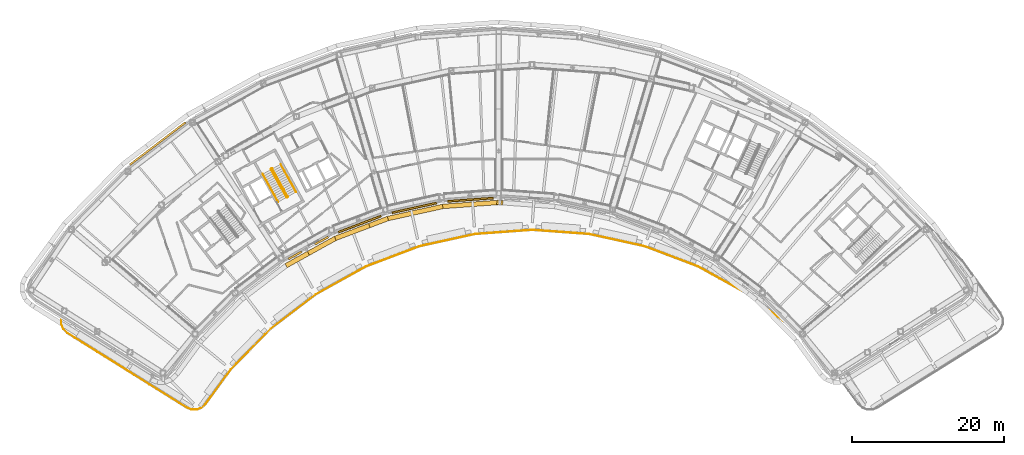
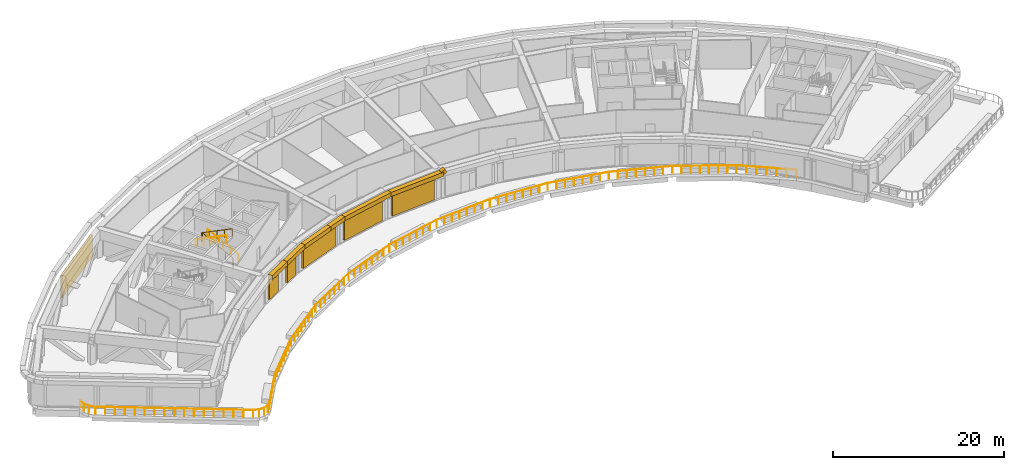
# One storey, part 22 of 26: 7 coverings, 6 shading devices, 4 railings.
"""IFC4 building model written with IfcOpenShell, lengths in metres."""

from ifc_helpers import new_model, si_unit, direction, frame, origin, origin_2d, place, context, subcontext, project, spatial, rectangle, circle, extrude, material, material_profile, profile_set, type_object, element, save


model = new_model("IFC4")

# Units and contexts
model_context = context("Model", 3, precision=1e-05, world=origin(), true_north=direction((0.0, 1.0)))
body_context = subcontext(model_context, "Body", "Model", "MODEL_VIEW")
ifc_project = project(units=[si_unit("LENGTHUNIT", "METRE"), si_unit("AREAUNIT", "SQUARE_METRE"), si_unit("VOLUMEUNIT", "CUBIC_METRE"), si_unit("PLANEANGLEUNIT", "RADIAN"), si_unit("MASSUNIT", "GRAM", prefix="KILO")], contexts=[model_context])

# Site, building, storey
site_placement = place(None, origin())
site = spatial("IfcSite", under=ifc_project, at=site_placement, CompositionType="ELEMENT")
building_placement = place(site_placement, origin())
building = spatial("IfcBuilding", under=site, at=building_placement, Name="Tuul Gate Civic Tower", CompositionType="ELEMENT")
storey_placement = place(building_placement, frame((0.0, 0.0, 167.60009765625)))
storey = spatial("IfcBuildingStorey", under=building, at=storey_placement, Name="Plant and refuge floor 5", CompositionType="ELEMENT", Elevation=167.60009765625)

# Shading devices
ifc_material_1 = material(Name="Aluminium louvre", Category="aluminium")
shading_device_type = type_object("IfcShadingDeviceType", Name="Louvre panel", PredefinedType="USERDEFINED", material=ifc_material_1)
shading_device_placement = place(storey_placement, frame((-44.00830078125, -1.18359375, 0.300048828125), z_axis=(0.0, 0.0, 1.0), x_axis=(-0.605807600786, 0.795611180684, 0.0)))
element("IfcShadingDevice", 1, at=shading_device_placement, inside=storey, type_object=shading_device_type, Name="Louvre panel", ObjectType="LOUVRE", PredefinedType="USERDEFINED", context=body_context, shape_type="SweptSolid", body=[
    extrude(rectangle(XDim=0.25, YDim=9.199951171875, at=origin_2d()), origin(), (0.0, 0.0, 1.0), 3.14990234375),
])
for number, where, z_axis, x_axis, name in (
    (2, (-25.89306640625, -15.923583984375, 0.300048828125), (0.0, 0.0, 1.0), (0.48480794476, -0.874620635875, 0.0), "Louvre panel"),
    (3, (-22.3828125, -13.97802734375, 0.300048828125), (0.0, 0.0, 1.0), (0.48480794476, -0.874620635875, 0.0), "Louvre panel"),
):
    element("IfcShadingDevice", number, at=place(storey_placement, frame(where, z_axis=z_axis, x_axis=x_axis)), inside=storey, type_object=shading_device_type, Name=name, ObjectType="LOUVRE", PredefinedType="USERDEFINED", context=body_context, shape_type="SweptSolid", body=[
        extrude(rectangle(XDim=0.25, YDim=2.0, at=origin_2d()), origin(), (0.0, 0.0, 1.0), 3.14990234375),
    ])
for number, where, z_axis, x_axis, name in (
    (4, (-17.3427734375, -11.802978515625, 0.300048828125), (0.0, 0.0, 1.0), (0.353684769481, -0.935364679597, 0.0), "Louvre panel"),
    (5, (-10.1650390625, -9.6669921875, 0.300048828125), (0.0, 0.0, 1.0), (0.215241961183, -0.976560749849, 0.0), "Louvre panel"),
    (6, (-2.75439453125, -8.587646484375, 0.300048828125), (0.0, 0.0, 1.0), (0.072276176045, -0.997384657179, 0.0), "Louvre panel"),
):
    element("IfcShadingDevice", number, at=place(storey_placement, frame(where, z_axis=z_axis, x_axis=x_axis)), inside=storey, type_object=shading_device_type, Name=name, ObjectType="LOUVRE", PredefinedType="USERDEFINED", context=body_context, shape_type="SweptSolid", body=[
        extrude(rectangle(XDim=0.25, YDim=6.0, at=origin_2d()), origin(), (0.0, 0.0, 1.0), 3.14990234375),
    ])

# Railings
ifc_material_2 = material(Name="Painted steel", Category="steel")
railing_type_1 = type_object("IfcRailingType", Name="Stair guard", PredefinedType="GUARDRAIL", material=ifc_material_2)
railing_1_placement = place(storey_placement, frame((-26.857666015625, -8.247314453125, 0.0)))
element("IfcRailing", 7, at=railing_1_placement, inside=storey, type_object=railing_type_1, Name="Plant and refuge floor 5 ST-2 stair guard 1", PredefinedType="GUARDRAIL", context=body_context, shape_type="SweptSolid", body=[
    extrude(circle(Radius=0.02392578125, at=origin_2d()), frame((0.0, 0.0, 1.076171875), z_axis=(-0.874616555828, -0.48481530532, 0.0), x_axis=(0.48481530532, -0.874616555828, 0.0)), (0.0, 0.0, 1.0), 0.10009765625),
    extrude(circle(Radius=0.02392578125, at=origin_2d()), frame((-0.087646484375, -0.048583984375, 1.076171875), z_axis=(0.49081399482, 0.534516610797, 0.688036056665), x_axis=(-0.736576986774, 0.676353711126, 0.0)), (0.0, 0.0, 1.0), 0.2177734375),
    extrude(circle(Radius=0.02392578125, at=origin_2d()), frame((0.019287109375, 0.06787109375, 1.22607421875), z_axis=(-0.433555878789, 0.78231386355, 0.447229604191), x_axis=(-0.874661316952, -0.484734546558, 0.0)), (0.0, 0.0, 1.0), 4.69580078125),
    extrude(circle(Radius=0.02392578125, at=origin_2d()), frame((-2.0166015625, 3.741455078125, 3.326171875), z_axis=(-0.961000426733, 0.276546885391, 0.0), x_axis=(-0.276546885391, -0.961000426733, 0.0)), (0.0, 0.0, 1.0), 0.070556640625),
    extrude(circle(Radius=0.02392578125, at=origin_2d()), frame((-2.08447265625, 3.760986328125, 3.326171875), z_axis=(-0.874616555828, -0.48481530532, 0.0), x_axis=(0.48481530532, -0.874616555828, 0.0)), (0.0, 0.0, 1.0), 0.10009765625),
    extrude(circle(Radius=0.02392578125, at=origin_2d()), frame((-2.172119140625, 3.71240234375, 3.326171875), z_axis=(-0.117866478395, -0.409586012422, 0.90462522168), x_axis=(0.961000426733, -0.276546885391, 0.0)), (0.0, 0.0, 1.0), 0.165771484375),
    extrude(circle(Radius=0.02392578125, at=origin_2d()), frame((-2.191650390625, 3.64453125, 3.47607421875), z_axis=(0.433598095863, -0.78229622883, 0.447219522855), x_axis=(0.874636671229, 0.484779014956, 0.0)), (0.0, 0.0, 1.0), 4.69580078125),
    extrude(circle(Radius=0.02099609375, at=origin_2d()), origin(), (0.0, 0.0, 1.0), 1.052001953125),
    extrude(circle(Radius=0.02099609375, at=origin_2d()), frame((-0.087646484375, -0.048583984375, 0.0)), (0.0, 0.0, 1.0), 1.052001953125),
    extrude(circle(Radius=0.02099609375, at=origin_2d()), frame((0.019287109375, 0.06787109375, 0.14990234375)), (0.0, 0.0, 1.0), 1.052001953125),
    extrude(circle(Radius=0.02099609375, at=origin_2d()), frame((-0.48974609375, 0.986328125, 0.6748046875)), (0.0, 0.0, 1.0), 1.052001953125),
    extrude(circle(Radius=0.02099609375, at=origin_2d()), frame((-0.99853515625, 1.90478515625, 1.199951171875)), (0.0, 0.0, 1.0), 1.052001953125),
    extrude(circle(Radius=0.02099609375, at=origin_2d()), frame((-1.507568359375, 2.822998046875, 1.72509765625)), (0.0, 0.0, 1.0), 1.052001953125),
    extrude(circle(Radius=0.02099609375, at=origin_2d()), frame((-2.0166015625, 3.741455078125, 2.25)), (0.0, 0.0, 1.0), 1.052001953125),
    extrude(circle(Radius=0.02099609375, at=origin_2d()), frame((-2.08447265625, 3.760986328125, 2.25)), (0.0, 0.0, 1.0), 1.052001953125),
    extrude(circle(Radius=0.02099609375, at=origin_2d()), frame((-2.172119140625, 3.71240234375, 2.25)), (0.0, 0.0, 1.0), 1.052001953125),
    extrude(circle(Radius=0.02099609375, at=origin_2d()), frame((-2.191650390625, 3.64453125, 2.39990234375)), (0.0, 0.0, 1.0), 1.052001953125),
    extrude(circle(Radius=0.02099609375, at=origin_2d()), frame((-1.6826171875, 2.72607421875, 2.9248046875)), (0.0, 0.0, 1.0), 1.052001953125),
    extrude(circle(Radius=0.02099609375, at=origin_2d()), frame((-1.173583984375, 1.8076171875, 3.449951171875)), (0.0, 0.0, 1.0), 1.052001953125),
    extrude(circle(Radius=0.02099609375, at=origin_2d()), frame((-0.66455078125, 0.889404296875, 3.97509765625)), (0.0, 0.0, 1.0), 1.052001953125),
    extrude(circle(Radius=0.02099609375, at=origin_2d()), frame((-0.155517578125, -0.029052734375, 4.5)), (0.0, 0.0, 1.0), 1.052001953125),
])
ifc_material_3 = material(Name="Painted steel", Category="steel")
railing_type_2 = type_object("IfcRailingType", Name="Stair handrail", PredefinedType="HANDRAIL", material=ifc_material_3)
railing_2_placement = place(storey_placement, frame((-25.744873046875, -7.573486328125, 0.14990234375)))
element("IfcRailing", 8, at=railing_2_placement, inside=storey, type_object=railing_type_2, Name="Plant and refuge floor 5 ST-2 stair handrail 1", PredefinedType="HANDRAIL", context=body_context, shape_type="SweptSolid", body=[
    extrude(circle(Radius=0.02392578125, at=origin_2d()), frame((0.0, 0.0, 0.8759765625), z_axis=(-0.433598095863, 0.78229622883, 0.447219522855), x_axis=(-0.874636671229, -0.484779014956, 0.0)), (0.0, 0.0, 1.0), 4.69580078125),
    extrude(circle(Radius=0.02099609375, at=origin_2d()), origin(), (0.0, 0.0, 1.0), 0.851806640625),
    extrude(circle(Radius=0.02099609375, at=origin_2d()), frame((-0.509033203125, 0.91845703125, 0.52490234375)), (0.0, 0.0, 1.0), 0.851806640625),
    extrude(circle(Radius=0.02099609375, at=origin_2d()), frame((-1.01806640625, 1.8369140625, 1.050048828125)), (0.0, 0.0, 1.0), 0.851806640625),
    extrude(circle(Radius=0.02099609375, at=origin_2d()), frame((-1.527099609375, 2.755126953125, 1.5751953125)), (0.0, 0.0, 1.0), 0.851806640625),
    extrude(circle(Radius=0.02099609375, at=origin_2d()), frame((-2.0361328125, 3.673583984375, 2.10009765625)), (0.0, 0.0, 1.0), 0.851806640625),
])
railing_3_placement = place(storey_placement, frame((-30.142578125, -5.208740234375, 2.39990234375)))
element("IfcRailing", 9, at=railing_3_placement, inside=storey, type_object=railing_type_2, Name="Plant and refuge floor 5 ST-2 stair handrail 2", PredefinedType="HANDRAIL", context=body_context, shape_type="SweptSolid", body=[
    extrude(circle(Radius=0.02392578125, at=origin_2d()), frame((0.0, 0.0, 0.8759765625), z_axis=(0.433598095863, -0.78229622883, 0.447219522855), x_axis=(0.874636671229, 0.484779014956, 0.0)), (0.0, 0.0, 1.0), 4.69580078125),
    extrude(circle(Radius=0.02099609375, at=origin_2d()), origin(), (0.0, 0.0, 1.0), 0.851806640625),
    extrude(circle(Radius=0.02099609375, at=origin_2d()), frame((0.509033203125, -0.91845703125, 0.52490234375)), (0.0, 0.0, 1.0), 0.851806640625),
    extrude(circle(Radius=0.02099609375, at=origin_2d()), frame((1.01806640625, -1.8369140625, 1.050048828125)), (0.0, 0.0, 1.0), 0.851806640625),
    extrude(circle(Radius=0.02099609375, at=origin_2d()), frame((1.527099609375, -2.755126953125, 1.5751953125)), (0.0, 0.0, 1.0), 0.851806640625),
    extrude(circle(Radius=0.02099609375, at=origin_2d()), frame((2.0361328125, -3.673583984375, 2.10009765625)), (0.0, 0.0, 1.0), 0.851806640625),
])
ifc_material_4 = material(Name="Stainless steel", Category="steel")
railing_type_3 = type_object("IfcRailingType", Name="Terrace guard", PredefinedType="GUARDRAIL", material=ifc_material_4)
railing_4_placement = place(storey_placement, frame((-56.72412109375, -24.197265625, 0.0)))
element("IfcRailing", 10, at=railing_4_placement, inside=storey, type_object=railing_type_3, Name="Guard", PredefinedType="GUARDRAIL", context=body_context, shape_type="SweptSolid", body=[
    extrude(circle(Radius=0.02392578125, at=origin_2d()), frame((0.0, 0.0, 1.076171875), z_axis=(-0.014640175347, -0.99989282689, 0.0), x_axis=(0.99989282689, -0.014640175347, 0.0)), (0.0, 0.0, 1.0), 0.78369140625),
    extrude(circle(Radius=0.02392578125, at=origin_2d()), frame((-0.011474609375, -0.78369140625, 1.076171875), z_axis=(0.386086812322, -0.922462450917, 0.0), x_axis=(0.922462450917, 0.386086812322, 0.0)), (0.0, 0.0, 1.0), 0.753662109375),
    extrude(circle(Radius=0.02392578125, at=origin_2d()), frame((0.279541015625, -1.47900390625, 1.076171875), z_axis=(0.722186485961, -0.69169840212, 0.0), x_axis=(0.69169840212, 0.722186485961, 0.0)), (0.0, 0.0, 1.0), 0.768798828125),
    extrude(circle(Radius=0.02392578125, at=origin_2d()), frame((0.834716796875, -2.0107421875, 1.076171875), z_axis=(0.848051625188, -0.52991361656, 0.0), x_axis=(0.52991361656, 0.848051625188, 0.0)), (0.0, 0.0, 1.0), 18.51904296875),
    extrude(circle(Radius=0.02392578125, at=origin_2d()), frame((16.539794921875, -11.82421875, 1.076171875), z_axis=(0.931560391115, -0.363586630263, 0.0), x_axis=(0.363586630263, 0.931560391115, 0.0)), (0.0, 0.0, 1.0), 0.702392578125),
    extrude(circle(Radius=0.02392578125, at=origin_2d()), frame((17.194091796875, -12.07958984375, 1.076171875), z_axis=(0.999992381518, 0.003903447905, 0.0), x_axis=(-0.003903447905, 0.999992381518, 0.0)), (0.0, 0.0, 1.0), 0.68798828125),
    extrude(circle(Radius=0.02392578125, at=origin_2d()), frame((17.882080078125, -12.076904296875, 1.076171875), z_axis=(0.929233590569, 0.36949280664, 0.0), x_axis=(-0.36949280664, 0.929233590569, 0.0)), (0.0, 0.0, 1.0), 0.687744140625),
    extrude(circle(Radius=0.02392578125, at=origin_2d()), frame((18.521240234375, -11.82275390625, 1.076171875), z_axis=(0.730338508981, 0.68308539898, 0.0), x_axis=(-0.68308539898, 0.730338508981, 0.0)), (0.0, 0.0, 1.0), 0.70263671875),
    extrude(circle(Radius=0.02392578125, at=origin_2d()), frame((19.034423828125, -11.3427734375, 1.076171875), z_axis=(0.589799533535, 0.807549695215, 0.0), x_axis=(-0.807549695215, 0.589799533535, 0.0)), (0.0, 0.0, 1.0), 5.640625),
    extrude(circle(Radius=0.02392578125, at=origin_2d()), frame((22.361328125, -6.78759765625, 1.076171875), z_axis=(0.699934869648, 0.714206677546, 0.0), x_axis=(-0.714206677546, 0.699934869648, 0.0)), (0.0, 0.0, 1.0), 7.52685546875),
    extrude(circle(Radius=0.02392578125, at=origin_2d()), frame((27.629638671875, -1.411865234375, 1.076171875), z_axis=(0.795650592846, 0.605755837036, 0.0), x_axis=(-0.605755837036, 0.795650592846, 0.0)), (0.0, 0.0, 1.0), 7.5263671875),
    extrude(circle(Radius=0.02392578125, at=origin_2d()), frame((33.617919921875, 3.147216796875, 1.076171875), z_axis=(0.874652568021, 0.484750332907, 0.0), x_axis=(-0.484750332907, 0.874652568021, 0.0)), (0.0, 0.0, 1.0), 7.5263671875),
    extrude(circle(Radius=0.02392578125, at=origin_2d()), frame((40.200927734375, 6.795654296875, 1.076171875), z_axis=(0.935332384104, 0.353770167265, 0.0), x_axis=(-0.353770167265, 0.935332384104, 0.0)), (0.0, 0.0, 1.0), 7.527099609375),
    extrude(circle(Radius=0.02392578125, at=origin_2d()), frame((47.2412109375, 9.45849609375, 1.076171875), z_axis=(0.976573215597, 0.215185395831, 0.0), x_axis=(-0.215185395831, 0.976573215597, 0.0)), (0.0, 0.0, 1.0), 7.526611328125),
    extrude(circle(Radius=0.02392578125, at=origin_2d()), frame((54.591552734375, 11.078125, 1.076171875), z_axis=(0.997389572159, 0.072208319108, 0.0), x_axis=(-0.072208319108, 0.997389572159, 0.0)), (0.0, 0.0, 1.0), 7.526123046875),
    extrude(circle(Radius=0.02392578125, at=origin_2d()), frame((62.09814453125, 11.62158203125, 1.076171875), z_axis=(0.997389572159, -0.072208319108, 0.0), x_axis=(0.072208319108, 0.997389572159, 0.0)), (0.0, 0.0, 1.0), 7.526123046875),
    extrude(circle(Radius=0.02392578125, at=origin_2d()), frame((69.604736328125, 11.078125, 1.076171875), z_axis=(0.976573215597, -0.215185395831, 0.0), x_axis=(0.215185395831, 0.976573215597, 0.0)), (0.0, 0.0, 1.0), 7.526611328125),
    extrude(circle(Radius=0.02392578125, at=origin_2d()), frame((76.955078125, 9.45849609375, 1.076171875), z_axis=(0.935332384104, -0.353770167265, 0.0), x_axis=(0.353770167265, 0.935332384104, 0.0)), (0.0, 0.0, 1.0), 7.527099609375),
    extrude(circle(Radius=0.02392578125, at=origin_2d()), frame((83.995361328125, 6.795654296875, 1.076171875), z_axis=(0.874652568021, -0.484750332907, 0.0), x_axis=(0.484750332907, 0.874652568021, 0.0)), (0.0, 0.0, 1.0), 7.5263671875),
    extrude(circle(Radius=0.02392578125, at=origin_2d()), frame((90.578369140625, 3.147216796875, 1.076171875), z_axis=(0.795643753836, -0.605764819862, 0.0), x_axis=(0.605764819862, 0.795643753836, 0.0)), (0.0, 0.0, 1.0), 7.08203125),
    extrude(circle(Radius=0.02099609375, at=origin_2d()), origin(), (0.0, 0.0, 1.0), 1.052001953125),
    extrude(circle(Radius=0.02099609375, at=origin_2d()), frame((-0.011474609375, -0.78369140625, 0.0)), (0.0, 0.0, 1.0), 1.052001953125),
    extrude(circle(Radius=0.02099609375, at=origin_2d()), frame((0.279541015625, -1.47900390625, 0.0)), (0.0, 0.0, 1.0), 1.052001953125),
    extrude(circle(Radius=0.02099609375, at=origin_2d()), frame((0.834716796875, -2.0107421875, 0.0)), (0.0, 0.0, 1.0), 1.052001953125),
    extrude(circle(Radius=0.02099609375, at=origin_2d()), frame((1.81640625, -2.6240234375, 0.0)), (0.0, 0.0, 1.0), 1.052001953125),
    extrude(circle(Radius=0.02099609375, at=origin_2d()), frame((2.7978515625, -3.2373046875, 0.0)), (0.0, 0.0, 1.0), 1.052001953125),
    extrude(circle(Radius=0.02099609375, at=origin_2d()), frame((3.779296875, -3.850830078125, 0.0)), (0.0, 0.0, 1.0), 1.052001953125),
    extrude(circle(Radius=0.02099609375, at=origin_2d()), frame((4.760986328125, -4.464111328125, 0.0)), (0.0, 0.0, 1.0), 1.052001953125),
    extrude(circle(Radius=0.02099609375, at=origin_2d()), frame((5.74267578125, -5.077392578125, 0.0)), (0.0, 0.0, 1.0), 1.052001953125),
    extrude(circle(Radius=0.02099609375, at=origin_2d()), frame((6.72412109375, -5.69091796875, 0.0)), (0.0, 0.0, 1.0), 1.052001953125),
    extrude(circle(Radius=0.02099609375, at=origin_2d()), frame((7.70556640625, -6.30419921875, 0.0)), (0.0, 0.0, 1.0), 1.052001953125),
    extrude(circle(Radius=0.02099609375, at=origin_2d()), frame((8.687255859375, -6.91748046875, 0.0)), (0.0, 0.0, 1.0), 1.052001953125),
    extrude(circle(Radius=0.02099609375, at=origin_2d()), frame((9.6689453125, -7.53076171875, 0.0)), (0.0, 0.0, 1.0), 1.052001953125),
    extrude(circle(Radius=0.02099609375, at=origin_2d()), frame((10.650390625, -8.14404296875, 0.0)), (0.0, 0.0, 1.0), 1.052001953125),
    extrude(circle(Radius=0.02099609375, at=origin_2d()), frame((11.6318359375, -8.757568359375, 0.0)), (0.0, 0.0, 1.0), 1.052001953125),
    extrude(circle(Radius=0.02099609375, at=origin_2d()), frame((12.613525390625, -9.370849609375, 0.0)), (0.0, 0.0, 1.0), 1.052001953125),
    extrude(circle(Radius=0.02099609375, at=origin_2d()), frame((13.59521484375, -9.984130859375, 0.0)), (0.0, 0.0, 1.0), 1.052001953125),
    extrude(circle(Radius=0.02099609375, at=origin_2d()), frame((14.57666015625, -10.59765625, 0.0)), (0.0, 0.0, 1.0), 1.052001953125),
    extrude(circle(Radius=0.02099609375, at=origin_2d()), frame((15.55810546875, -11.2109375, 0.0)), (0.0, 0.0, 1.0), 1.052001953125),
    extrude(circle(Radius=0.02099609375, at=origin_2d()), frame((16.539794921875, -11.82421875, 0.0)), (0.0, 0.0, 1.0), 1.052001953125),
    extrude(circle(Radius=0.02099609375, at=origin_2d()), frame((17.194091796875, -12.07958984375, 0.0)), (0.0, 0.0, 1.0), 1.052001953125),
    extrude(circle(Radius=0.02099609375, at=origin_2d()), frame((17.882080078125, -12.076904296875, 0.0)), (0.0, 0.0, 1.0), 1.052001953125),
    extrude(circle(Radius=0.02099609375, at=origin_2d()), frame((18.521240234375, -11.82275390625, 0.0)), (0.0, 0.0, 1.0), 1.052001953125),
    extrude(circle(Radius=0.02099609375, at=origin_2d()), frame((19.034423828125, -11.3427734375, 0.0)), (0.0, 0.0, 1.0), 1.052001953125),
    extrude(circle(Radius=0.02099609375, at=origin_2d()), frame((19.69970703125, -10.431640625, 0.0)), (0.0, 0.0, 1.0), 1.052001953125),
    extrude(circle(Radius=0.02099609375, at=origin_2d()), frame((20.365234375, -9.520751953125, 0.0)), (0.0, 0.0, 1.0), 1.052001953125),
    extrude(circle(Radius=0.02099609375, at=origin_2d()), frame((21.030517578125, -8.609619140625, 0.0)), (0.0, 0.0, 1.0), 1.052001953125),
    extrude(circle(Radius=0.02099609375, at=origin_2d()), frame((21.696044921875, -7.69873046875, 0.0)), (0.0, 0.0, 1.0), 1.052001953125),
    extrude(circle(Radius=0.02099609375, at=origin_2d()), frame((22.361328125, -6.78759765625, 0.0)), (0.0, 0.0, 1.0), 1.052001953125),
    extrude(circle(Radius=0.02099609375, at=origin_2d()), frame((23.114013671875, -6.01953125, 0.0)), (0.0, 0.0, 1.0), 1.052001953125),
    extrude(circle(Radius=0.02099609375, at=origin_2d()), frame((23.866455078125, -5.251708984375, 0.0)), (0.0, 0.0, 1.0), 1.052001953125),
    extrude(circle(Radius=0.02099609375, at=origin_2d()), frame((24.619140625, -4.483642578125, 0.0)), (0.0, 0.0, 1.0), 1.052001953125),
    extrude(circle(Radius=0.02099609375, at=origin_2d()), frame((25.371826171875, -3.7158203125, 0.0)), (0.0, 0.0, 1.0), 1.052001953125),
    extrude(circle(Radius=0.02099609375, at=origin_2d()), frame((26.12451171875, -2.94775390625, 0.0)), (0.0, 0.0, 1.0), 1.052001953125),
    extrude(circle(Radius=0.02099609375, at=origin_2d()), frame((26.876953125, -2.179931640625, 0.0)), (0.0, 0.0, 1.0), 1.052001953125),
    extrude(circle(Radius=0.02099609375, at=origin_2d()), frame((27.629638671875, -1.411865234375, 0.0)), (0.0, 0.0, 1.0), 1.052001953125),
    extrude(circle(Radius=0.02099609375, at=origin_2d()), frame((28.485107421875, -0.760498046875, 0.0)), (0.0, 0.0, 1.0), 1.052001953125),
    extrude(circle(Radius=0.02099609375, at=origin_2d()), frame((29.340576171875, -0.109375, 0.0)), (0.0, 0.0, 1.0), 1.052001953125),
    extrude(circle(Radius=0.02099609375, at=origin_2d()), frame((30.196044921875, 0.5419921875, 0.0)), (0.0, 0.0, 1.0), 1.052001953125),
    extrude(circle(Radius=0.02099609375, at=origin_2d()), frame((31.051513671875, 1.193359375, 0.0)), (0.0, 0.0, 1.0), 1.052001953125),
    extrude(circle(Radius=0.02099609375, at=origin_2d()), frame((31.906982421875, 1.8447265625, 0.0)), (0.0, 0.0, 1.0), 1.052001953125),
    extrude(circle(Radius=0.02099609375, at=origin_2d()), frame((32.762451171875, 2.495849609375, 0.0)), (0.0, 0.0, 1.0), 1.052001953125),
    extrude(circle(Radius=0.02099609375, at=origin_2d()), frame((33.617919921875, 3.147216796875, 0.0)), (0.0, 0.0, 1.0), 1.052001953125),
    extrude(circle(Radius=0.02099609375, at=origin_2d()), frame((34.558349609375, 3.66845703125, 0.0)), (0.0, 0.0, 1.0), 1.052001953125),
    extrude(circle(Radius=0.02099609375, at=origin_2d()), frame((35.498779296875, 4.189697265625, 0.0)), (0.0, 0.0, 1.0), 1.052001953125),
    extrude(circle(Radius=0.02099609375, at=origin_2d()), frame((36.439208984375, 4.7109375, 0.0)), (0.0, 0.0, 1.0), 1.052001953125),
    extrude(circle(Radius=0.02099609375, at=origin_2d()), frame((37.379638671875, 5.23193359375, 0.0)), (0.0, 0.0, 1.0), 1.052001953125),
    extrude(circle(Radius=0.02099609375, at=origin_2d()), frame((38.320068359375, 5.753173828125, 0.0)), (0.0, 0.0, 1.0), 1.052001953125),
    extrude(circle(Radius=0.02099609375, at=origin_2d()), frame((39.260498046875, 6.2744140625, 0.0)), (0.0, 0.0, 1.0), 1.052001953125),
    extrude(circle(Radius=0.02099609375, at=origin_2d()), frame((40.200927734375, 6.795654296875, 0.0)), (0.0, 0.0, 1.0), 1.052001953125),
    extrude(circle(Radius=0.02099609375, at=origin_2d()), frame((41.206787109375, 7.176025390625, 0.0)), (0.0, 0.0, 1.0), 1.052001953125),
    extrude(circle(Radius=0.02099609375, at=origin_2d()), frame((42.21240234375, 7.556396484375, 0.0)), (0.0, 0.0, 1.0), 1.052001953125),
    extrude(circle(Radius=0.02099609375, at=origin_2d()), frame((43.21826171875, 7.936767578125, 0.0)), (0.0, 0.0, 1.0), 1.052001953125),
    extrude(circle(Radius=0.02099609375, at=origin_2d()), frame((44.223876953125, 8.3173828125, 0.0)), (0.0, 0.0, 1.0), 1.052001953125),
    extrude(circle(Radius=0.02099609375, at=origin_2d()), frame((45.229736328125, 8.69775390625, 0.0)), (0.0, 0.0, 1.0), 1.052001953125),
    extrude(circle(Radius=0.02099609375, at=origin_2d()), frame((46.2353515625, 9.078125, 0.0)), (0.0, 0.0, 1.0), 1.052001953125),
    extrude(circle(Radius=0.02099609375, at=origin_2d()), frame((47.2412109375, 9.45849609375, 0.0)), (0.0, 0.0, 1.0), 1.052001953125),
    extrude(circle(Radius=0.02099609375, at=origin_2d()), frame((48.291259765625, 9.68994140625, 0.0)), (0.0, 0.0, 1.0), 1.052001953125),
    extrude(circle(Radius=0.02099609375, at=origin_2d()), frame((49.34130859375, 9.921142578125, 0.0)), (0.0, 0.0, 1.0), 1.052001953125),
    extrude(circle(Radius=0.02099609375, at=origin_2d()), frame((50.391357421875, 10.152587890625, 0.0)), (0.0, 0.0, 1.0), 1.052001953125),
    extrude(circle(Radius=0.02099609375, at=origin_2d()), frame((51.44140625, 10.384033203125, 0.0)), (0.0, 0.0, 1.0), 1.052001953125),
    extrude(circle(Radius=0.02099609375, at=origin_2d()), frame((52.491455078125, 10.615478515625, 0.0)), (0.0, 0.0, 1.0), 1.052001953125),
    extrude(circle(Radius=0.02099609375, at=origin_2d()), frame((53.54150390625, 10.8466796875, 0.0)), (0.0, 0.0, 1.0), 1.052001953125),
    extrude(circle(Radius=0.02099609375, at=origin_2d()), frame((54.591552734375, 11.078125, 0.0)), (0.0, 0.0, 1.0), 1.052001953125),
    extrude(circle(Radius=0.02099609375, at=origin_2d()), frame((55.663818359375, 11.15576171875, 0.0)), (0.0, 0.0, 1.0), 1.052001953125),
    extrude(circle(Radius=0.02099609375, at=origin_2d()), frame((56.736328125, 11.2333984375, 0.0)), (0.0, 0.0, 1.0), 1.052001953125),
    extrude(circle(Radius=0.02099609375, at=origin_2d()), frame((57.80859375, 11.31103515625, 0.0)), (0.0, 0.0, 1.0), 1.052001953125),
    extrude(circle(Radius=0.02099609375, at=origin_2d()), frame((58.881103515625, 11.388671875, 0.0)), (0.0, 0.0, 1.0), 1.052001953125),
    extrude(circle(Radius=0.02099609375, at=origin_2d()), frame((59.953369140625, 11.46630859375, 0.0)), (0.0, 0.0, 1.0), 1.052001953125),
    extrude(circle(Radius=0.02099609375, at=origin_2d()), frame((61.02587890625, 11.5439453125, 0.0)), (0.0, 0.0, 1.0), 1.052001953125),
    extrude(circle(Radius=0.02099609375, at=origin_2d()), frame((62.09814453125, 11.62158203125, 0.0)), (0.0, 0.0, 1.0), 1.052001953125),
    extrude(circle(Radius=0.02099609375, at=origin_2d()), frame((63.17041015625, 11.5439453125, 0.0)), (0.0, 0.0, 1.0), 1.052001953125),
    extrude(circle(Radius=0.02099609375, at=origin_2d()), frame((64.242919921875, 11.46630859375, 0.0)), (0.0, 0.0, 1.0), 1.052001953125),
    extrude(circle(Radius=0.02099609375, at=origin_2d()), frame((65.315185546875, 11.388671875, 0.0)), (0.0, 0.0, 1.0), 1.052001953125),
    extrude(circle(Radius=0.02099609375, at=origin_2d()), frame((66.3876953125, 11.31103515625, 0.0)), (0.0, 0.0, 1.0), 1.052001953125),
    extrude(circle(Radius=0.02099609375, at=origin_2d()), frame((67.4599609375, 11.2333984375, 0.0)), (0.0, 0.0, 1.0), 1.052001953125),
    extrude(circle(Radius=0.02099609375, at=origin_2d()), frame((68.532470703125, 11.15576171875, 0.0)), (0.0, 0.0, 1.0), 1.052001953125),
    extrude(circle(Radius=0.02099609375, at=origin_2d()), frame((69.604736328125, 11.078125, 0.0)), (0.0, 0.0, 1.0), 1.052001953125),
    extrude(circle(Radius=0.02099609375, at=origin_2d()), frame((70.65478515625, 10.8466796875, 0.0)), (0.0, 0.0, 1.0), 1.052001953125),
    extrude(circle(Radius=0.02099609375, at=origin_2d()), frame((71.704833984375, 10.615478515625, 0.0)), (0.0, 0.0, 1.0), 1.052001953125),
    extrude(circle(Radius=0.02099609375, at=origin_2d()), frame((72.7548828125, 10.384033203125, 0.0)), (0.0, 0.0, 1.0), 1.052001953125),
    extrude(circle(Radius=0.02099609375, at=origin_2d()), frame((73.804931640625, 10.152587890625, 0.0)), (0.0, 0.0, 1.0), 1.052001953125),
    extrude(circle(Radius=0.02099609375, at=origin_2d()), frame((74.85498046875, 9.921142578125, 0.0)), (0.0, 0.0, 1.0), 1.052001953125),
    extrude(circle(Radius=0.02099609375, at=origin_2d()), frame((75.905029296875, 9.68994140625, 0.0)), (0.0, 0.0, 1.0), 1.052001953125),
    extrude(circle(Radius=0.02099609375, at=origin_2d()), frame((76.955078125, 9.45849609375, 0.0)), (0.0, 0.0, 1.0), 1.052001953125),
    extrude(circle(Radius=0.02099609375, at=origin_2d()), frame((77.9609375, 9.078125, 0.0)), (0.0, 0.0, 1.0), 1.052001953125),
    extrude(circle(Radius=0.02099609375, at=origin_2d()), frame((78.966552734375, 8.69775390625, 0.0)), (0.0, 0.0, 1.0), 1.052001953125),
    extrude(circle(Radius=0.02099609375, at=origin_2d()), frame((79.972412109375, 8.3173828125, 0.0)), (0.0, 0.0, 1.0), 1.052001953125),
    extrude(circle(Radius=0.02099609375, at=origin_2d()), frame((80.97802734375, 7.936767578125, 0.0)), (0.0, 0.0, 1.0), 1.052001953125),
    extrude(circle(Radius=0.02099609375, at=origin_2d()), frame((81.98388671875, 7.556396484375, 0.0)), (0.0, 0.0, 1.0), 1.052001953125),
    extrude(circle(Radius=0.02099609375, at=origin_2d()), frame((82.989501953125, 7.176025390625, 0.0)), (0.0, 0.0, 1.0), 1.052001953125),
    extrude(circle(Radius=0.02099609375, at=origin_2d()), frame((83.995361328125, 6.795654296875, 0.0)), (0.0, 0.0, 1.0), 1.052001953125),
    extrude(circle(Radius=0.02099609375, at=origin_2d()), frame((84.935791015625, 6.2744140625, 0.0)), (0.0, 0.0, 1.0), 1.052001953125),
    extrude(circle(Radius=0.02099609375, at=origin_2d()), frame((85.876220703125, 5.753173828125, 0.0)), (0.0, 0.0, 1.0), 1.052001953125),
    extrude(circle(Radius=0.02099609375, at=origin_2d()), frame((86.816650390625, 5.23193359375, 0.0)), (0.0, 0.0, 1.0), 1.052001953125),
    extrude(circle(Radius=0.02099609375, at=origin_2d()), frame((87.757080078125, 4.7109375, 0.0)), (0.0, 0.0, 1.0), 1.052001953125),
    extrude(circle(Radius=0.02099609375, at=origin_2d()), frame((88.697509765625, 4.189697265625, 0.0)), (0.0, 0.0, 1.0), 1.052001953125),
    extrude(circle(Radius=0.02099609375, at=origin_2d()), frame((89.637939453125, 3.66845703125, 0.0)), (0.0, 0.0, 1.0), 1.052001953125),
    extrude(circle(Radius=0.02099609375, at=origin_2d()), frame((90.578369140625, 3.147216796875, 0.0)), (0.0, 0.0, 1.0), 1.052001953125),
    extrude(circle(Radius=0.02099609375, at=origin_2d()), frame((91.517578125, 2.43212890625, 0.0)), (0.0, 0.0, 1.0), 1.052001953125),
    extrude(circle(Radius=0.02099609375, at=origin_2d()), frame((92.45654296875, 1.71728515625, 0.0)), (0.0, 0.0, 1.0), 1.052001953125),
    extrude(circle(Radius=0.02099609375, at=origin_2d()), frame((93.395751953125, 1.002197265625, 0.0)), (0.0, 0.0, 1.0), 1.052001953125),
    extrude(circle(Radius=0.02099609375, at=origin_2d()), frame((94.3349609375, 0.287109375, 0.0)), (0.0, 0.0, 1.0), 1.052001953125),
    extrude(circle(Radius=0.02099609375, at=origin_2d()), frame((95.27392578125, -0.427734375, 0.0)), (0.0, 0.0, 1.0), 1.052001953125),
    extrude(circle(Radius=0.02099609375, at=origin_2d()), frame((96.213134765625, -1.142822265625, 0.0)), (0.0, 0.0, 1.0), 1.052001953125),
])

# Coverings
ifc_material_5 = material(Name="Terracotta baguette", Category="masonry")
ifc_material_profile = material_profile(ifc_material_5, rectangle(XDim=0.60009765625, YDim=0.60009765625, at=origin_2d()), Name="Terracotta baguette screen frame")
ifc_profile_set = profile_set([ifc_material_profile], Name="Terracotta baguette")
covering_type = type_object("IfcCoveringType", Name="Terracotta baguette screen frame", PredefinedType="CLADDING", material=ifc_profile_set)
covering_1_placement = place(storey_placement, frame((-24.1240234375, -15.65771484375, 4.14990234375), z_axis=(0.874618697284, 0.484811442069, 0.0), x_axis=(-0.484811442069, 0.874618697284, 0.0)))
element("IfcCovering", 11, at=covering_1_placement, inside=storey, type_object=covering_type, Name="Baguette 194", PredefinedType="CLADDING", context=body_context, shape_type="SweptSolid", body=[
    extrude(rectangle(XDim=0.60009765625, YDim=0.60009765625, at=origin_2d()), origin(), (0.0, 0.0, 1.0), 4.039794921875),
])
covering_2_placement = place(storey_placement, frame((-20.5908203125, -13.69921875, 4.14990234375), z_axis=(0.935372913928, 0.353662991972, 0.0), x_axis=(-0.353662991972, 0.935372913928, 0.0)))
element("IfcCovering", 12, at=covering_2_placement, inside=storey, type_object=covering_type, Name="Baguette 195", PredefinedType="CLADDING", context=body_context, shape_type="SweptSolid", body=[
    extrude(rectangle(XDim=0.60009765625, YDim=0.60009765625, at=origin_2d()), origin(), (0.0, 0.0, 1.0), 4.812255859375),
])
covering_3_placement = place(storey_placement, frame((0.989990234375, -8.943115234375, 4.648193359375), z_axis=(0.465076052241, -0.03337451633, -0.884641400394), x_axis=(0.071577352276, 0.997435051841, 0.0)))
element("IfcCovering", 13, at=covering_3_placement, inside=storey, type_object=covering_type, Name="Baguette 213", PredefinedType="CLADDING", context=body_context, shape_type="SweptSolid", body=[
    extrude(rectangle(XDim=0.60009765625, YDim=0.60009765625, at=origin_2d()), origin(), (0.0, 0.0, 1.0), 0.563232421875),
])
covering_4_placement = place(storey_placement, frame((-27.078857421875, -17.295654296875, 4.14990234375), z_axis=(0.874613653783, 0.484820540629, 0.0), x_axis=(-0.484820540629, 0.874613653783, 0.0)))
element("IfcCovering", 14, at=covering_4_placement, inside=storey, type_object=covering_type, Name="Baguette 379", PredefinedType="CLADDING", context=body_context, shape_type="SweptSolid", body=[
    extrude(rectangle(XDim=0.60009765625, YDim=0.60009765625, at=origin_2d()), origin(), (0.0, 0.0, 1.0), 3.37841796875),
])
covering_5_placement = place(storey_placement, frame((-16.089599609375, -11.997314453125, 4.14990234375), z_axis=(0.935347435094, 0.353730371417, 0.0), x_axis=(-0.353730371417, 0.935347435094, 0.0)))
element("IfcCovering", 15, at=covering_5_placement, inside=storey, type_object=covering_type, Name="Baguette 380", PredefinedType="CLADDING", context=body_context, shape_type="SweptSolid", body=[
    extrude(rectangle(XDim=0.60009765625, YDim=0.60009765625, at=origin_2d()), origin(), (0.0, 0.0, 1.0), 2.60546875),
])
covering_6_placement = place(storey_placement, frame((-13.652587890625, -11.07568359375, 4.14990234375), z_axis=(0.976558886135, 0.215250416748, 0.0), x_axis=(-0.215250416748, 0.976558886135, 0.0)))
element("IfcCovering", 16, at=covering_6_placement, inside=storey, type_object=covering_type, Name="Baguette 381", PredefinedType="CLADDING", context=body_context, shape_type="SweptSolid", body=[
    extrude(rectangle(XDim=0.60009765625, YDim=0.60009765625, at=origin_2d()), origin(), (0.0, 0.0, 1.0), 7.417724609375),
])
covering_7_placement = place(storey_placement, frame((-6.40869140625, -9.47900390625, 4.14990234375), z_axis=(0.997387202257, 0.072241046327, 0.0), x_axis=(-0.072241046327, 0.997387202257, 0.0)))
element("IfcCovering", 17, at=covering_7_placement, inside=storey, type_object=covering_type, Name="Baguette 382", PredefinedType="CLADDING", context=body_context, shape_type="SweptSolid", body=[
    extrude(rectangle(XDim=0.60009765625, YDim=0.60009765625, at=origin_2d()), origin(), (0.0, 0.0, 1.0), 7.41796875),
])

save(model, "model.ifc")
